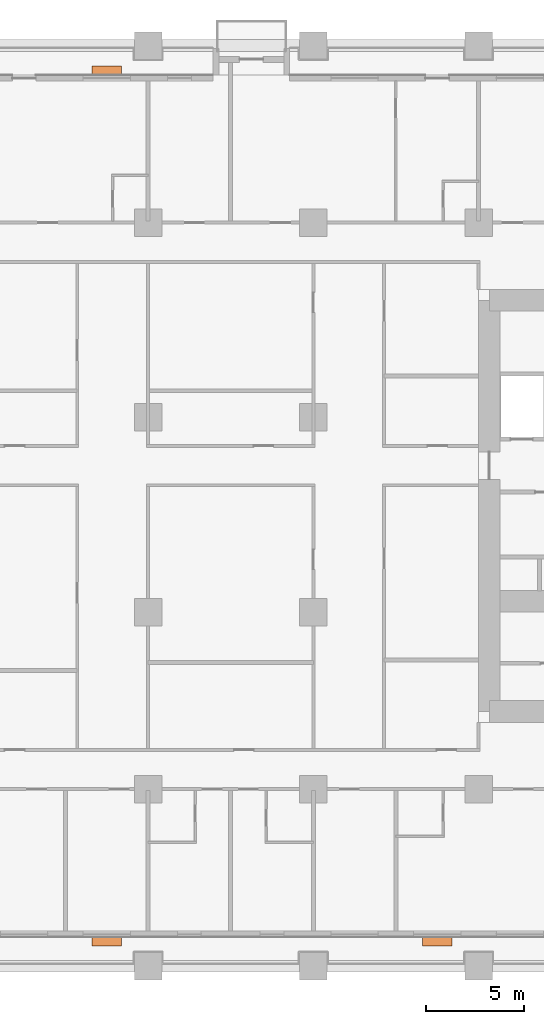
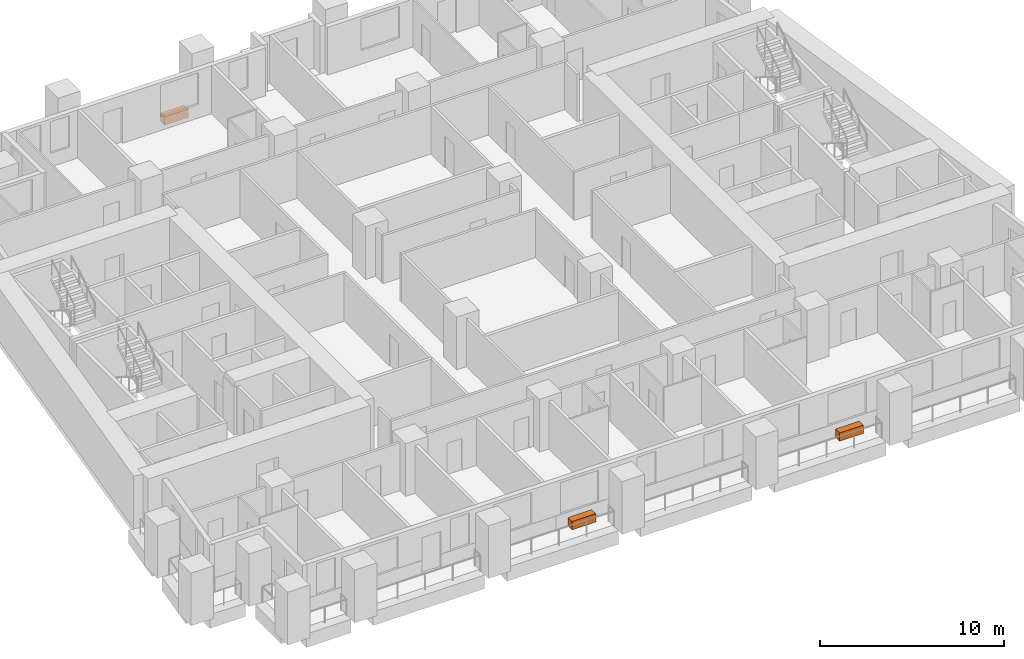
# One storey, part 12 of 12: 3 proxies.
"""IFC4 building model written with IfcOpenShell, lengths in metres."""

import ifcopenshell
import ifcopenshell.guid

model = None  # the IFC model being written
_history = None  # IfcOwnerHistory: only IFC2X3 demands one
_inside = {}  # id of a spatial element -> (the spatial element, [elements in it])
_under = {}  # id of a project, library or spatial element -> (it, [spatial elements below it])
_declared = {}  # id of a project -> (the project, [libraries it declares])
_typed = {}  # id of a type object -> (the type object, [elements of that type])
_made_of = {}  # id of a material, layer set ... -> (it, [elements and type objects made of it])


def new_model(schema):
    """Start an empty IFC model of exactly this schema.

    Asked for "IFC4X3", IfcOpenShell would pick the latest addendum, in which some entities
    have other attributes; the version numbers below select the first issue.
    IFC2X3 requires an IfcOwnerHistory on every rooted entity: one is made here for all.
    """
    global model, _history
    if schema == "IFC4X3":
        model = ifcopenshell.file(schema_version=(4, 3, 0, 0))
    else:
        model = ifcopenshell.file(schema=schema)
    _inside.clear()
    _under.clear()
    _declared.clear()
    _typed.clear()
    _made_of.clear()
    _history = None
    if model.schema == "IFC2X3":
        org = make("IfcOrganization", Name="unknown")
        user = make(
            "IfcPersonAndOrganization",
            ThePerson=make("IfcPerson", FamilyName="unknown"),
            TheOrganization=org,
        )
        app = make(
            "IfcApplication",
            ApplicationDeveloper=org,
            Version="unknown",
            ApplicationFullName="unknown",
            ApplicationIdentifier="unknown",
        )
        _history = make(
            "IfcOwnerHistory",
            OwningUser=user,
            OwningApplication=app,
            ChangeAction="ADDED",
            CreationDate=0,
        )
    return model


def make(cls, **values):
    """One entity of the class cls with the attributes given. An attribute that is None is left unset."""
    return model.create_entity(
        cls, **{name: value for name, value in values.items() if value is not None}
    )


def rooted(cls, **values):
    """An entity with a GlobalId (a new one), such as an element, a storey or a relation."""
    return make(cls, GlobalId=ifcopenshell.guid.new(), OwnerHistory=_history, **values)


def si_unit(unit_type, name, prefix=None):
    """IfcSIUnit, for example si_unit("LENGTHUNIT", "METRE", prefix="MILLI")."""
    return make("IfcSIUnit", UnitType=unit_type, Prefix=prefix, Name=name)


def assignment(units):
    """IfcUnitAssignment: the units of a project."""
    return None if units is None else make("IfcUnitAssignment", Units=units)


def point(xyz):
    """IfcCartesianPoint."""
    return None if xyz is None else make("IfcCartesianPoint", Coordinates=xyz)


def direction(xyz):
    """IfcDirection."""
    return None if xyz is None else make("IfcDirection", DirectionRatios=xyz)


def frame(location, z_axis=None, x_axis=None):
    """IfcAxis2Placement3D, a coordinate frame: its origin and axes. An axis left out is left unset."""
    return make(
        "IfcAxis2Placement3D",
        Location=point(location),
        Axis=direction(z_axis),
        RefDirection=direction(x_axis),
    )


def frame_2d(location, x_axis=None):
    """IfcAxis2Placement2D, a coordinate frame in the plane: its origin and x axis."""
    return make(
        "IfcAxis2Placement2D", Location=point(location), RefDirection=direction(x_axis)
    )


def origin():
    """The frame at (0, 0, 0) with its axes left unset."""
    return frame((0.0, 0.0, 0.0))


def origin_2d():
    """The frame at (0, 0) in the plane with its x axis left unset."""
    return frame_2d((0.0, 0.0))


def place(relative_to, where):
    """IfcLocalPlacement: puts the frame where relative to a parent placement (None: the world)."""
    return make(
        "IfcLocalPlacement", PlacementRelTo=relative_to, RelativePlacement=where
    )


def context(
    kind, dimensions, precision=None, world=None, true_north=None, identifier=None
):
    """IfcGeometricRepresentationContext, for example the 3D "Model" context."""
    return make(
        "IfcGeometricRepresentationContext",
        ContextIdentifier=identifier,
        ContextType=kind,
        CoordinateSpaceDimension=dimensions,
        Precision=precision,
        WorldCoordinateSystem=world,
        TrueNorth=true_north,
    )


def subcontext(parent, identifier, kind, view, scale=None):
    """IfcGeometricRepresentationSubContext, for example "Body" below "Model"."""
    return make(
        "IfcGeometricRepresentationSubContext",
        ContextIdentifier=identifier,
        ContextType=kind,
        ParentContext=parent,
        TargetScale=scale,
        TargetView=view,
    )


def project(units=None, contexts=None):
    """IfcProject with its units and contexts."""
    return rooted(
        "IfcProject",
        Name="project",
        RepresentationContexts=contexts,
        UnitsInContext=assignment(units),
    )


def spatial(cls, under=None, at=None, **own):
    """A site, building, storey or space (cls), placed at a placement, below another one or the project."""
    s = rooted(cls, ObjectPlacement=at, **own)
    if under is not None:
        _under.setdefault(under.id(), (under, []))[1].append(s)
    return s


def profile(cls, at=None, kind="AREA", **sizes):
    """A parametric profile (cls). Its sizes go by their IFC names, for example OverallWidth=200.0."""
    return make(cls, ProfileType=kind, Position=at, **sizes)


def rectangle(**sizes):
    """IfcRectangleProfileDef."""
    return profile("IfcRectangleProfileDef", **sizes)


def extrude(swept, where, along, depth):
    """IfcExtrudedAreaSolid: the profile swept, set in the frame where, extruded along a direction by depth."""
    return make(
        "IfcExtrudedAreaSolid",
        SweptArea=swept,
        Position=where,
        ExtrudedDirection=direction(along),
        Depth=depth,
    )


def shape(context_of_items, identifier, shape_type, items):
    """IfcShapeRepresentation: the items that make up one representation, for example the "Body"."""
    return make(
        "IfcShapeRepresentation",
        ContextOfItems=context_of_items,
        RepresentationIdentifier=identifier,
        RepresentationType=shape_type,
        Items=items,
    )


def made_of(thing, what):
    """Note that an element or type object is made of a material, layer set ...; save() writes the relation."""
    if what is not None:
        _made_of.setdefault(what.id(), (what, []))[1].append(thing)
    return thing


def element(
    cls,
    number,
    at=None,
    inside=None,
    cuts=None,
    type_object=None,
    material=None,
    context=None,
    identifier="Body",
    shape_type=None,
    held_by="IfcProductDefinitionShape",
    body=None,
    shapes=None,
    **own,
):
    """One element of the class cls, such as IfcWall. Its Tag is "e" and its number.

    at: its placement. inside: the storey or other place that contains it. cuts: it is an
    opening in that element (IfcRelVoidsElement). A single representation is given by context,
    identifier, shape_type and body (its items); several are given by shapes. held_by: the class
    of the entity that holds the representations. save() writes the other relations.
    """
    e = rooted(cls, Tag="e%d" % number, ObjectPlacement=at, **own)
    if body is not None:
        shapes = [shape(context, identifier, shape_type, body)]
    if shapes is not None:
        e.Representation = make(held_by, Representations=shapes)
    if inside is not None:
        _inside.setdefault(inside.id(), (inside, []))[1].append(e)
    if cuts is not None:
        rooted(
            "IfcRelVoidsElement", RelatingBuildingElement=cuts, RelatedOpeningElement=e
        )
    if type_object is not None:
        _typed.setdefault(type_object.id(), (type_object, []))[1].append(e)
    return made_of(e, material)


def aggregate(whole, parts):
    """IfcRelAggregates: a whole, such as a stair, and the parts it consists of."""
    return rooted("IfcRelAggregates", RelatingObject=whole, RelatedObjects=parts)


def save(model, path):
    """Write the relations noted so far, then the file.

    IfcRelAggregates (storeys below a building ...), IfcRelContainedInSpatialStructure (elements
    in a storey), IfcRelDefinesByType, IfcRelAssociatesMaterial and IfcRelDeclares: one each for
    every whole, place, type object, material and project.
    """
    for whole, parts in _under.values():
        aggregate(whole, parts)
    for where, things in _inside.values():
        rooted(
            "IfcRelContainedInSpatialStructure",
            RelatedElements=things,
            RelatingStructure=where,
        )
    for kind, things in _typed.values():
        rooted("IfcRelDefinesByType", RelatedObjects=things, RelatingType=kind)
    for what, things in _made_of.values():
        rooted("IfcRelAssociatesMaterial", RelatedObjects=things, RelatingMaterial=what)
    for by, libraries in _declared.values():
        rooted("IfcRelDeclares", RelatingContext=by, RelatedDefinitions=libraries)
    model.write(path)


model = new_model("IFC4")

# Units and contexts
model_context = context("Model", 3, precision=1e-05, world=origin(), true_north=direction((0.0, 1.0)))
body_context = subcontext(model_context, "Body", "Model", "MODEL_VIEW")
ifc_project = project(units=[si_unit("LENGTHUNIT", "METRE"), si_unit("AREAUNIT", "SQUARE_METRE"), si_unit("VOLUMEUNIT", "CUBIC_METRE"), si_unit("PLANEANGLEUNIT", "RADIAN"), si_unit("MASSUNIT", "GRAM", prefix="KILO")], contexts=[model_context])

# Site, building, storey
site_placement = place(None, origin())
site = spatial("IfcSite", under=ifc_project, at=site_placement, CompositionType="ELEMENT")
building_placement = place(site_placement, origin())
building = spatial("IfcBuilding", under=site, at=building_placement, Name="Candeia Pilgrim Tower and Theatre", CompositionType="ELEMENT")
storey_placement = place(building_placement, frame((0.0, 0.0, 42.5)))
storey = spatial("IfcBuildingStorey", under=building, at=storey_placement, Name="L07", CompositionType="ELEMENT", Elevation=42.5)

# Proxies
for number, where, z_axis, x_axis, name in (
    (1, (107.10009765625, 99.2548828125, 0.0), (0.0, 0.0, 1.0), (1.0, 0.0, 0.0), "Planter"),
    (2, (123.89990234375, 99.2548828125, 0.0), (0.0, 0.0, 1.0), (1.0, 0.0, 0.0), "Planter"),
    (3, (107.10009765625, 143.544921875, 0.0), (0.0, 0.0, 1.0), (-1.0, 0.0, 0.0), "Planter"),
):
    element("IfcBuildingElementProxy", number, at=place(storey_placement, frame(where, z_axis=z_axis, x_axis=x_axis)), inside=storey, Name=name, ObjectType="PLANTER", PredefinedType="USERDEFINED", context=body_context, shape_type="SweptSolid", body=[
        extrude(rectangle(XDim=1.5, YDim=0.449951171875, at=origin_2d()), origin(), (0.0, 0.0, 1.0), 0.550048828125),
    ])

save(model, "model.ifc")
